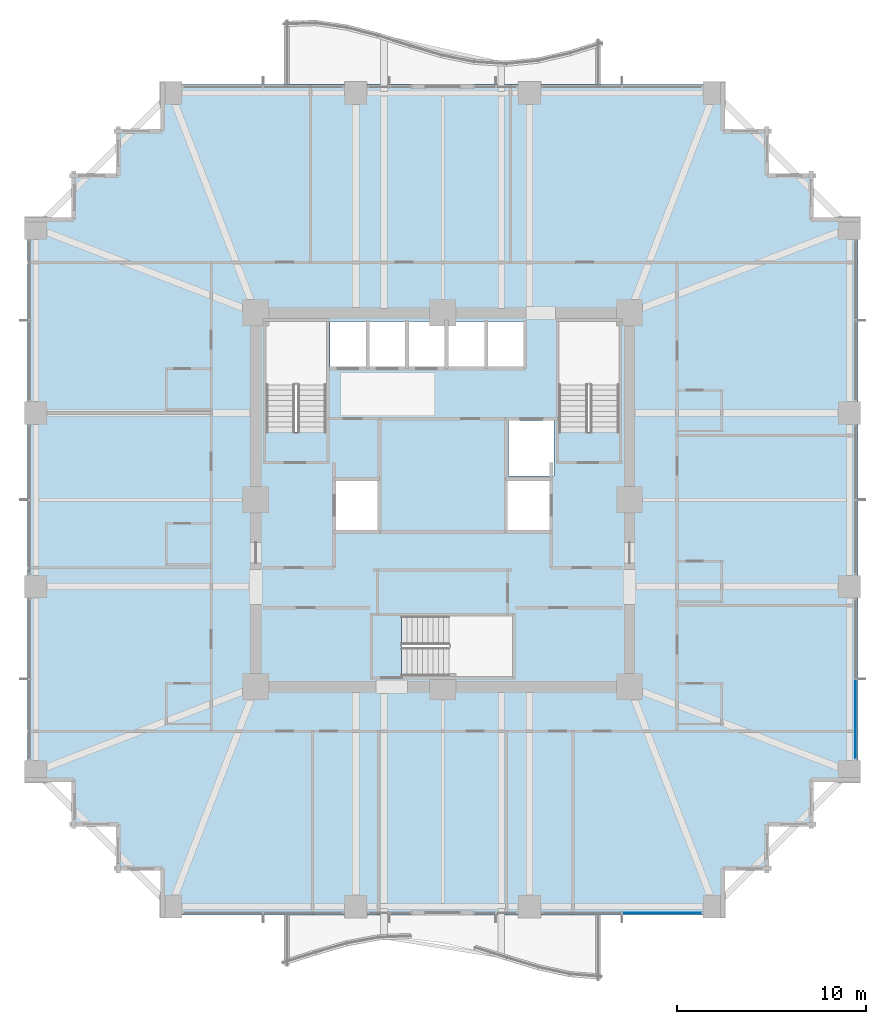
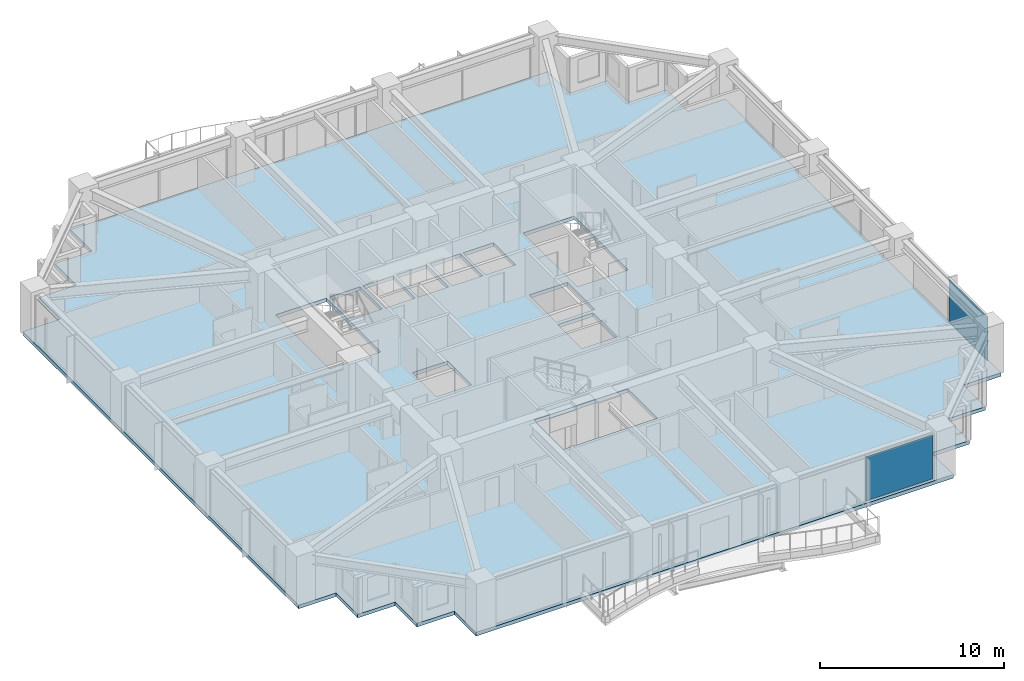
# One storey, part 28 of 38: 2 plates, 1 slab, 2 elements without a shape of their own.
"""IFC4 building model written with IfcOpenShell, lengths in metres."""

from ifc_helpers import new_model, si_unit, direction, frame, origin, origin_2d, place, context, subcontext, project, spatial, polyline, rectangle, outline, extrude, material, layer, layer_set, type_object, element, aggregate, save


model = new_model("IFC4")

# Units and contexts
model_context = context("Model", 3, precision=1e-05, world=origin(), true_north=direction((0.0, 1.0)))
body_context = subcontext(model_context, "Body", "Model", "MODEL_VIEW")
ifc_project = project(units=[si_unit("LENGTHUNIT", "METRE"), si_unit("AREAUNIT", "SQUARE_METRE"), si_unit("VOLUMEUNIT", "CUBIC_METRE"), si_unit("PLANEANGLEUNIT", "RADIAN"), si_unit("MASSUNIT", "GRAM", prefix="KILO")], contexts=[model_context])

# Site, building, storey
site_placement = place(None, origin())
site = spatial("IfcSite", under=ifc_project, at=site_placement, CompositionType="ELEMENT")
building_placement = place(site_placement, origin())
building = spatial("IfcBuilding", under=site, at=building_placement, Name="Kolvaren Belvedere", CompositionType="ELEMENT")
storey_placement = place(building_placement, frame((0.0, 0.0, 30.39990234375)))
storey = spatial("IfcBuildingStorey", under=building, at=storey_placement, Name="L08", CompositionType="ELEMENT", Elevation=30.39990234375)

# Curtain wall, plate
ifc_material_1 = material(Name="Anodised pale-metal aluminium AA 6063-T6", Category="aluminium")
curtain_wall_type = type_object("IfcCurtainWallType", Name="CW-Z1-LOW", PredefinedType="NOTDEFINED", material=ifc_material_1)
curtain_wall_1_placement = place(storey_placement, origin())
curtain_wall_1 = element("IfcCurtainWall", 1, at=curtain_wall_1_placement, inside=storey, type_object=curtain_wall_type, Name="L08 Unitised Curtain Wall FCW-L08-S1-B1", PredefinedType="NOTDEFINED")
ifc_material_2 = material(Name="Low-iron triple insulated glass", Category="glass")
ifc_layer_1 = layer(ifc_material_2, 0.028076171875)
ifc_layer_set_1 = layer_set([ifc_layer_1], Name="Low-iron triple insulated glass")
plate_type = type_object("IfcPlateType", Name="CW-PNL-VIS28", PredefinedType="CURTAIN_PANEL", material=ifc_layer_set_1)
plate_1_placement = place(storey_placement, frame((11.62255859375, -21.8798828125, 0.080078125), z_axis=(0.0, 0.0, 1.0), x_axis=(-1.0, 0.0, 0.0)))
plate_1 = element("IfcPlate", 2, at=plate_1_placement, type_object=plate_type, Name="FCW-L08-S1-B1 Vision Glazing Panel 1", PredefinedType="CURTAIN_PANEL", context=body_context, shape_type="SweptSolid", body=[
    extrude(rectangle(XDim=4.1650390625, YDim=0.028076171875, at=origin_2d()), origin(), (0.0, 0.0, 1.0), 2.89990234375),
])
aggregate(curtain_wall_1, [plate_1])

curtain_wall_2_placement = place(storey_placement, origin())
curtain_wall_2 = element("IfcCurtainWall", 3, at=curtain_wall_2_placement, inside=storey, type_object=curtain_wall_type, Name="L08 Unitised Curtain Wall FCW-L08-E-B3", PredefinedType="NOTDEFINED")
plate_2_placement = place(storey_placement, frame((21.8798828125, -11.62255859375, 0.080078125), z_axis=(0.0, 0.0, 1.0), x_axis=(0.0, -1.0, 0.0)))
plate_2 = element("IfcPlate", 4, at=plate_2_placement, type_object=plate_type, Name="FCW-L08-E-B3 Vision Glazing Panel 2", PredefinedType="CURTAIN_PANEL", context=body_context, shape_type="SweptSolid", body=[
    extrude(rectangle(XDim=4.1650390625, YDim=0.028076171875, at=origin_2d()), origin(), (0.0, 0.0, 1.0), 2.89990234375),
])
aggregate(curtain_wall_2, [plate_2])

# Slab
ifc_material_3 = material(Name="Concrete C50/60", Category="concrete")
ifc_layer_2 = layer(ifc_material_3, 0.239990234375)
ifc_layer_set_2 = layer_set([ifc_layer_2], Name="Concrete C50/60")
slab_type = type_object("IfcSlabType", Name="SL-FLR-240", PredefinedType="FLOOR", material=ifc_layer_set_2)
slab_placement = place(storey_placement, frame((0.0, 0.0, -0.239990234375)))
element("IfcSlab", 5, at=slab_placement, inside=storey, type_object=slab_type, Name="L08 Primary Structural Slab", PredefinedType="FLOOR", context=body_context, shape_type="SweptSolid", body=[
    extrude(outline(polyline([(-14.949951171875, -22.0), (14.949951171875, -22.0), (14.949951171875, -19.64990234375), (17.300048828125, -19.64990234375), (17.300048828125, -17.300048828125), (19.64990234375, -17.300048828125), (19.64990234375, -14.949951171875), (22.0, -14.949951171875), (22.0, 14.949951171875), (19.64990234375, 14.949951171875), (19.64990234375, 17.300048828125), (17.300048828125, 17.300048828125), (17.300048828125, 19.64990234375), (14.949951171875, 19.64990234375), (14.949951171875, 22.0), (-14.949951171875, 22.0), (-14.949951171875, 19.64990234375), (-17.300048828125, 19.64990234375), (-17.300048828125, 17.300048828125), (-19.64990234375, 17.300048828125), (-19.64990234375, 14.949951171875), (-22.0, 14.949951171875), (-22.0, -14.949951171875), (-19.64990234375, -14.949951171875), (-19.64990234375, -17.300048828125), (-17.300048828125, -17.300048828125), (-17.300048828125, -19.64990234375), (-14.949951171875, -19.64990234375), (-14.949951171875, -22.0)]), holes=[polyline([(-9.35009765625, 3.580078125), (-6.159912109375, 3.580078125), (-6.159912109375, 9.449951171875), (-9.35009765625, 9.449951171875), (-9.35009765625, 3.580078125)]), polyline([(6.159912109375, 3.580078125), (9.35009765625, 3.580078125), (9.35009765625, 9.449951171875), (6.159912109375, 9.449951171875), (6.159912109375, 3.580078125)]), polyline([(-2.169921875, -9.35009765625), (3.699951171875, -9.35009765625), (3.699951171875, -6.159912109375), (-2.169921875, -6.159912109375), (-2.169921875, -9.35009765625)]), polyline([(-5.64990234375, -1.60009765625), (-3.449951171875, -1.60009765625), (-3.449951171875, 1.0), (-5.64990234375, 1.0), (-5.64990234375, -1.60009765625)]), polyline([(3.5, 1.25), (5.89990234375, 1.25), (5.89990234375, 4.199951171875), (3.5, 4.199951171875), (3.5, 1.25)]), polyline([(3.449951171875, -1.60009765625), (5.64990234375, -1.60009765625), (5.64990234375, 1.0), (3.449951171875, 1.0), (3.449951171875, -1.60009765625)]), polyline([(-5.9599609375, 7.050048828125), (-4.06005859375, 7.050048828125), (-4.06005859375, 9.449951171875), (-5.9599609375, 9.449951171875), (-5.9599609375, 7.050048828125)]), polyline([(-3.8798828125, 7.050048828125), (-1.97998046875, 7.050048828125), (-1.97998046875, 9.449951171875), (-3.8798828125, 9.449951171875), (-3.8798828125, 7.050048828125)]), polyline([(-1.800048828125, 7.050048828125), (0.10009765625, 7.050048828125), (0.10009765625, 9.449951171875), (-1.800048828125, 9.449951171875), (-1.800048828125, 7.050048828125)]), polyline([(0.320068359375, 7.050048828125), (2.219970703125, 7.050048828125), (2.219970703125, 9.449951171875), (0.320068359375, 9.449951171875), (0.320068359375, 7.050048828125)]), polyline([(2.39990234375, 7.050048828125), (4.300048828125, 7.050048828125), (4.300048828125, 9.449951171875), (2.39990234375, 9.449951171875), (2.39990234375, 7.050048828125)])]), origin(), (0.0, 0.0, 1.0), 0.239990234375),
])

save(model, "model.ifc")
